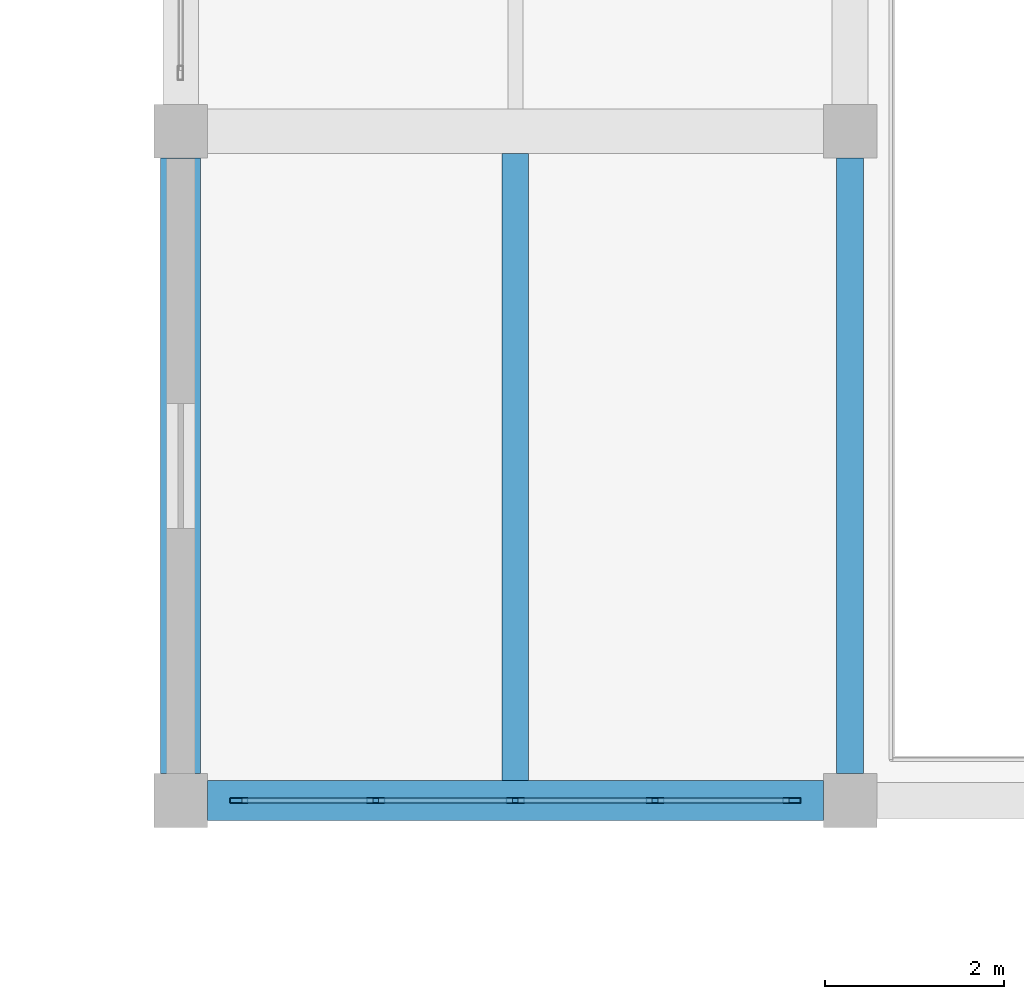
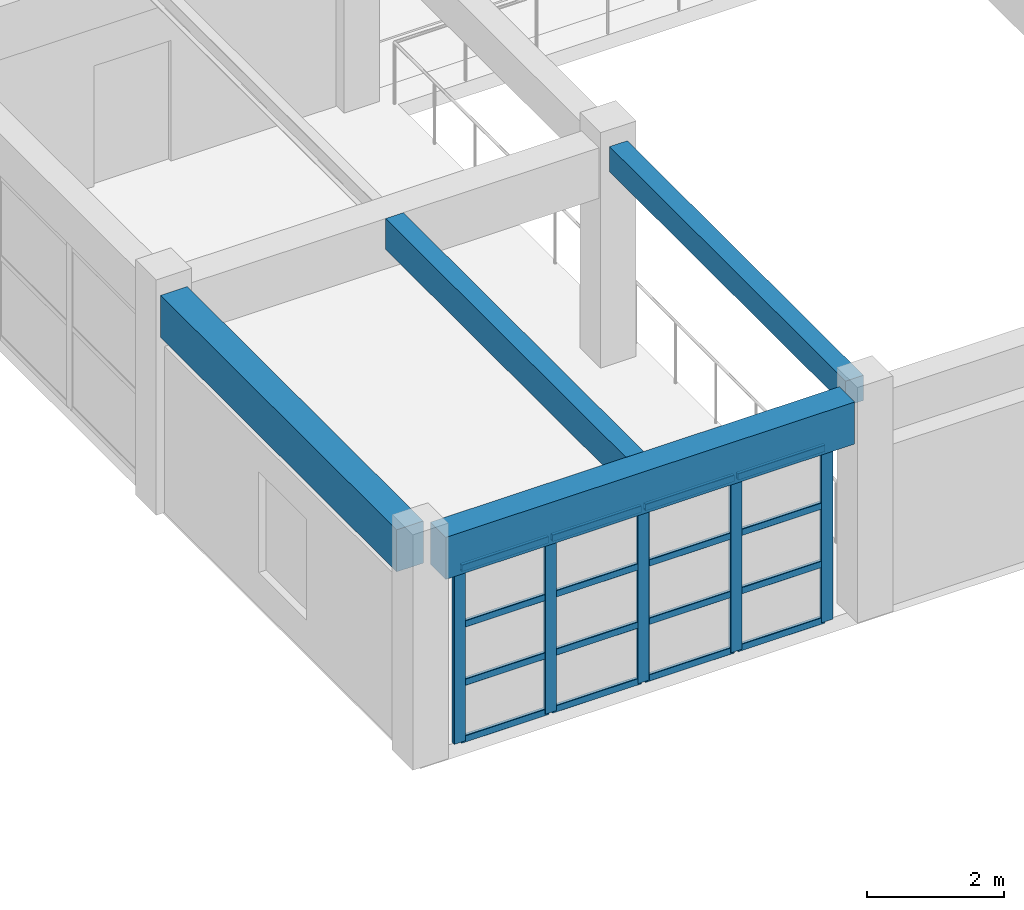
# One storey, part 53 of 124: 21 members, 4 beams, 1 element without a shape of its own.
"""IFC4 building model written with IfcOpenShell, lengths in metres."""

from ifc_helpers import new_model, si_unit, direction, frame, origin, origin_2d, place, context, subcontext, project, spatial, rectangle, hollow_rectangle, extrude, material, material_profile, profile_set, type_object, element, aggregate, save


model = new_model("IFC4")

# Units and contexts
model_context = context("Model", 3, precision=1e-05, world=origin(), true_north=direction((0.0, 1.0)))
body_context = subcontext(model_context, "Body", "Model", "MODEL_VIEW")
ifc_project = project(units=[si_unit("LENGTHUNIT", "METRE"), si_unit("AREAUNIT", "SQUARE_METRE"), si_unit("VOLUMEUNIT", "CUBIC_METRE"), si_unit("PLANEANGLEUNIT", "RADIAN"), si_unit("MASSUNIT", "GRAM", prefix="KILO")], contexts=[model_context])

# Site, building, storey
site_placement = place(None, origin())
site = spatial("IfcSite", under=ifc_project, at=site_placement, CompositionType="ELEMENT")
building_placement = place(site_placement, origin())
building = spatial("IfcBuilding", under=site, at=building_placement, Name="Qasida Concert Hall", CompositionType="ELEMENT")
storey_placement = place(building_placement, frame((0.0, 0.0, 9.0)))
storey = spatial("IfcBuildingStorey", under=building, at=storey_placement, Name="L02", CompositionType="ELEMENT", Elevation=9.0)

# Beams
ifc_material_1 = material(Name="Concrete C40/50", Category="concrete")
ifc_material_profile_1 = material_profile(ifc_material_1, rectangle(XDim=0.300048828125, YDim=0.449951171875, at=origin_2d()), Name="RC 300x450")
ifc_profile_set_1 = profile_set([ifc_material_profile_1], Name="Concrete C40/50")
beam_type_1 = type_object("IfcBeamType", Name="BM-B3", PredefinedType="BEAM", material=ifc_profile_set_1)
beam_1_placement = place(storey_placement, frame((127.5, 75.300048828125, 3.675048828125), z_axis=(0.0, 1.0, 0.0), x_axis=(-1.0, 0.0, 0.0)))
element("IfcBeam", 1, at=beam_1_placement, inside=storey, type_object=beam_type_1, Name="L02 girder 1388", PredefinedType="BEAM", context=body_context, shape_type="SweptSolid", body=[
    extrude(rectangle(XDim=0.300048828125, YDim=0.449951171875, at=origin_2d()), origin(), (0.0, 0.0, 1.0), 6.89990234375),
])
ifc_material_profile_2 = material_profile(ifc_material_1, rectangle(XDim=0.300048828125, YDim=0.550048828125, at=origin_2d()), Name="RC 300x550")
ifc_profile_set_2 = profile_set([ifc_material_profile_2], Name="Concrete C40/50")
beam_type_2 = type_object("IfcBeamType", Name="BM-J1", PredefinedType="JOIST", material=ifc_profile_set_2)
beam_2_placement = place(storey_placement, frame((123.75, 75.22509765625, 3.625), z_axis=(0.0, 1.0, 0.0), x_axis=(-1.0, 0.0, 0.0)))
element("IfcBeam", 2, at=beam_2_placement, inside=storey, type_object=beam_type_2, Name="L02 secondary joist 1416", PredefinedType="JOIST", context=body_context, shape_type="SweptSolid", body=[
    extrude(rectangle(XDim=0.300048828125, YDim=0.550048828125, at=origin_2d()), origin(), (0.0, 0.0, 1.0), 7.02490234375),
])
ifc_material_profile_3 = material_profile(ifc_material_1, rectangle(XDim=0.449951171875, YDim=0.75, at=origin_2d()), Name="RC 450x750")
ifc_profile_set_3 = profile_set([ifc_material_profile_3], Name="Concrete C40/50")
beam_type_3 = type_object("IfcBeamType", Name="BM-SP4", PredefinedType="SPANDREL", material=ifc_profile_set_3)
for number, where, z_axis, x_axis, name in (
    (3, (120.300048828125, 75.0, 3.52490234375), (1.0, 0.0, 0.0), (0.0, 1.0, 0.0), "Primary girder 1350"),
    (4, (120.0, 75.300048828125, 3.52490234375), (0.0, 1.0, 0.0), (-1.0, 0.0, 0.0), "L02 girder 1383"),
):
    element("IfcBeam", number, at=place(storey_placement, frame(where, z_axis=z_axis, x_axis=x_axis)), inside=storey, type_object=beam_type_3, Name=name, PredefinedType="SPANDREL", context=body_context, shape_type="SweptSolid", body=[
        extrude(rectangle(XDim=0.449951171875, YDim=0.75, at=origin_2d()), origin(), (0.0, 0.0, 1.0), 6.89990234375),
    ])

# Curtain wall, members
ifc_material_2 = material(Name="Architectural bronze-anodized aluminium and low-E glass", Category="aluminium")
curtain_wall_type = type_object("IfcCurtainWallType", Name="CW-03", PredefinedType="NOTDEFINED", material=ifc_material_2)
curtain_wall_placement = place(storey_placement, origin())
curtain_wall = element("IfcCurtainWall", 5, at=curtain_wall_placement, inside=storey, type_object=curtain_wall_type, Name="L02 curtain wall CW-03 0169", PredefinedType="NOTDEFINED")
ifc_material_3 = material(Name="Architectural bronze-anodized aluminium EN AW-6063", Category="aluminium")
ifc_material_profile_4 = material_profile(ifc_material_3, hollow_rectangle(XDim=0.06494140625, YDim=0.199951171875, WallThickness=0.0048828125, InnerFilletRadius=0.0048828125, OuterFilletRadius=0.010009765625, at=origin_2d()), Name="CWM 200x65x5")
ifc_profile_set_4 = profile_set([ifc_material_profile_4], Name="Architectural bronze-anodized aluminium EN AW-6063")
member_type_1 = type_object("IfcMemberType", Name="MB-CWM-2", PredefinedType="MULLION", material=ifc_profile_set_4)
member_1_placement = place(storey_placement, frame((120.652587890625, 75.0, 0.0), z_axis=(0.0, 0.0, 1.0), x_axis=(0.0, 1.0, 0.0)))
member_1 = element("IfcMember", 6, at=member_1_placement, type_object=member_type_1, Name="CW-03 mullion 1", PredefinedType="MULLION", context=body_context, shape_type="SweptSolid", body=[
    extrude(hollow_rectangle(XDim=0.06494140625, YDim=0.199951171875, WallThickness=0.0048828125, InnerFilletRadius=0.0048828125, OuterFilletRadius=0.010009765625, at=origin_2d()), origin(), (0.0, 0.0, 1.0), 3.1201171875),
])
member_2_placement = place(storey_placement, frame((122.18505859375, 75.0, 0.0), z_axis=(0.0, 0.0, 1.0), x_axis=(0.0, 1.0, 0.0)))
member_2 = element("IfcMember", 7, at=member_2_placement, type_object=member_type_1, Name="CW-03 mullion 2", PredefinedType="MULLION", context=body_context, shape_type="SweptSolid", body=[
    extrude(hollow_rectangle(XDim=0.06494140625, YDim=0.199951171875, WallThickness=0.0048828125, InnerFilletRadius=0.0048828125, OuterFilletRadius=0.010009765625, at=origin_2d()), origin(), (0.0, 0.0, 1.0), 3.1201171875),
])
member_3_placement = place(storey_placement, frame((123.75, 75.0, 0.0), z_axis=(0.0, 0.0, 1.0), x_axis=(0.0, 1.0, 0.0)))
member_3 = element("IfcMember", 8, at=member_3_placement, type_object=member_type_1, Name="CW-03 mullion 3", PredefinedType="MULLION", context=body_context, shape_type="SweptSolid", body=[
    extrude(hollow_rectangle(XDim=0.06494140625, YDim=0.199951171875, WallThickness=0.0048828125, InnerFilletRadius=0.0048828125, OuterFilletRadius=0.010009765625, at=origin_2d()), origin(), (0.0, 0.0, 1.0), 3.1201171875),
])
member_4_placement = place(storey_placement, frame((125.31494140625, 75.0, 0.0), z_axis=(0.0, 0.0, 1.0), x_axis=(0.0, 1.0, 0.0)))
member_4 = element("IfcMember", 9, at=member_4_placement, type_object=member_type_1, Name="CW-03 mullion 4", PredefinedType="MULLION", context=body_context, shape_type="SweptSolid", body=[
    extrude(hollow_rectangle(XDim=0.06494140625, YDim=0.199951171875, WallThickness=0.0048828125, InnerFilletRadius=0.0048828125, OuterFilletRadius=0.010009765625, at=origin_2d()), origin(), (0.0, 0.0, 1.0), 3.1201171875),
])
member_5_placement = place(storey_placement, frame((126.847412109375, 75.0, 0.0), z_axis=(0.0, 0.0, 1.0), x_axis=(0.0, 1.0, 0.0)))
member_5 = element("IfcMember", 10, at=member_5_placement, type_object=member_type_1, Name="CW-03 mullion 5", PredefinedType="MULLION", context=body_context, shape_type="SweptSolid", body=[
    extrude(hollow_rectangle(XDim=0.06494140625, YDim=0.199951171875, WallThickness=0.0048828125, InnerFilletRadius=0.0048828125, OuterFilletRadius=0.010009765625, at=origin_2d()), origin(), (0.0, 0.0, 1.0), 3.1201171875),
])
ifc_material_profile_5 = material_profile(ifc_material_3, hollow_rectangle(XDim=0.06005859375, YDim=0.1201171875, WallThickness=0.00390625, InnerFilletRadius=0.00390625, OuterFilletRadius=0.008056640625, at=origin_2d()), Name="CWT 120x60x4")
ifc_profile_set_5 = profile_set([ifc_material_profile_5], Name="Architectural bronze-anodized aluminium EN AW-6063")
member_type_2 = type_object("IfcMemberType", Name="MB-CWT-2", PredefinedType="USERDEFINED", material=ifc_profile_set_5)
member_6_placement = place(storey_placement, frame((120.68505859375, 75.0, 0.030029296875), z_axis=(1.0, 0.0, 0.0), x_axis=(0.0, 1.0, 0.0)))
member_6 = element("IfcMember", 11, at=member_6_placement, type_object=member_type_2, Name="CW-03 transom 1.1", ObjectType="TRANSOM", PredefinedType="USERDEFINED", context=body_context, shape_type="SweptSolid", body=[
    extrude(hollow_rectangle(XDim=0.06005859375, YDim=0.1201171875, WallThickness=0.00390625, InnerFilletRadius=0.00390625, OuterFilletRadius=0.008056640625, at=origin_2d()), origin(), (0.0, 0.0, 1.0), 1.467529296875),
])
member_7_placement = place(storey_placement, frame((120.68505859375, 75.0, 1.0400390625), z_axis=(1.0, 0.0, 0.0), x_axis=(0.0, 1.0, 0.0)))
member_7 = element("IfcMember", 12, at=member_7_placement, type_object=member_type_2, Name="CW-03 transom 1.2", ObjectType="TRANSOM", PredefinedType="USERDEFINED", context=body_context, shape_type="SweptSolid", body=[
    extrude(hollow_rectangle(XDim=0.06005859375, YDim=0.1201171875, WallThickness=0.00390625, InnerFilletRadius=0.00390625, OuterFilletRadius=0.008056640625, at=origin_2d()), origin(), (0.0, 0.0, 1.0), 1.467529296875),
])
member_8_placement = place(storey_placement, frame((120.68505859375, 75.0, 2.080078125), z_axis=(1.0, 0.0, 0.0), x_axis=(0.0, 1.0, 0.0)))
member_8 = element("IfcMember", 13, at=member_8_placement, type_object=member_type_2, Name="CW-03 transom 1.3", ObjectType="TRANSOM", PredefinedType="USERDEFINED", context=body_context, shape_type="SweptSolid", body=[
    extrude(hollow_rectangle(XDim=0.06005859375, YDim=0.1201171875, WallThickness=0.00390625, InnerFilletRadius=0.00390625, OuterFilletRadius=0.008056640625, at=origin_2d()), origin(), (0.0, 0.0, 1.0), 1.467529296875),
])
member_9_placement = place(storey_placement, frame((120.68505859375, 75.0, 3.090087890625), z_axis=(1.0, 0.0, 0.0), x_axis=(0.0, 1.0, 0.0)))
member_9 = element("IfcMember", 14, at=member_9_placement, type_object=member_type_2, Name="CW-03 transom 1.4", ObjectType="TRANSOM", PredefinedType="USERDEFINED", context=body_context, shape_type="SweptSolid", body=[
    extrude(hollow_rectangle(XDim=0.06005859375, YDim=0.1201171875, WallThickness=0.00390625, InnerFilletRadius=0.00390625, OuterFilletRadius=0.008056640625, at=origin_2d()), origin(), (0.0, 0.0, 1.0), 1.467529296875),
])
member_10_placement = place(storey_placement, frame((122.217529296875, 75.0, 0.030029296875), z_axis=(1.0, 0.0, 0.0), x_axis=(0.0, 1.0, 0.0)))
member_10 = element("IfcMember", 15, at=member_10_placement, type_object=member_type_2, Name="CW-03 transom 2.1", ObjectType="TRANSOM", PredefinedType="USERDEFINED", context=body_context, shape_type="SweptSolid", body=[
    extrude(hollow_rectangle(XDim=0.06005859375, YDim=0.1201171875, WallThickness=0.00390625, InnerFilletRadius=0.00390625, OuterFilletRadius=0.008056640625, at=origin_2d()), origin(), (0.0, 0.0, 1.0), 1.5),
])
member_11_placement = place(storey_placement, frame((122.217529296875, 75.0, 1.0400390625), z_axis=(1.0, 0.0, 0.0), x_axis=(0.0, 1.0, 0.0)))
member_11 = element("IfcMember", 16, at=member_11_placement, type_object=member_type_2, Name="CW-03 transom 2.2", ObjectType="TRANSOM", PredefinedType="USERDEFINED", context=body_context, shape_type="SweptSolid", body=[
    extrude(hollow_rectangle(XDim=0.06005859375, YDim=0.1201171875, WallThickness=0.00390625, InnerFilletRadius=0.00390625, OuterFilletRadius=0.008056640625, at=origin_2d()), origin(), (0.0, 0.0, 1.0), 1.5),
])
member_12_placement = place(storey_placement, frame((122.217529296875, 75.0, 2.080078125), z_axis=(1.0, 0.0, 0.0), x_axis=(0.0, 1.0, 0.0)))
member_12 = element("IfcMember", 17, at=member_12_placement, type_object=member_type_2, Name="CW-03 transom 2.3", ObjectType="TRANSOM", PredefinedType="USERDEFINED", context=body_context, shape_type="SweptSolid", body=[
    extrude(hollow_rectangle(XDim=0.06005859375, YDim=0.1201171875, WallThickness=0.00390625, InnerFilletRadius=0.00390625, OuterFilletRadius=0.008056640625, at=origin_2d()), origin(), (0.0, 0.0, 1.0), 1.5),
])
member_13_placement = place(storey_placement, frame((122.217529296875, 75.0, 3.090087890625), z_axis=(1.0, 0.0, 0.0), x_axis=(0.0, 1.0, 0.0)))
member_13 = element("IfcMember", 18, at=member_13_placement, type_object=member_type_2, Name="CW-03 transom 2.4", ObjectType="TRANSOM", PredefinedType="USERDEFINED", context=body_context, shape_type="SweptSolid", body=[
    extrude(hollow_rectangle(XDim=0.06005859375, YDim=0.1201171875, WallThickness=0.00390625, InnerFilletRadius=0.00390625, OuterFilletRadius=0.008056640625, at=origin_2d()), origin(), (0.0, 0.0, 1.0), 1.5),
])
member_14_placement = place(storey_placement, frame((123.782470703125, 75.0, 0.030029296875), z_axis=(1.0, 0.0, 0.0), x_axis=(0.0, 1.0, 0.0)))
member_14 = element("IfcMember", 19, at=member_14_placement, type_object=member_type_2, Name="CW-03 transom 3.1", ObjectType="TRANSOM", PredefinedType="USERDEFINED", context=body_context, shape_type="SweptSolid", body=[
    extrude(hollow_rectangle(XDim=0.06005859375, YDim=0.1201171875, WallThickness=0.00390625, InnerFilletRadius=0.00390625, OuterFilletRadius=0.008056640625, at=origin_2d()), origin(), (0.0, 0.0, 1.0), 1.5),
])
member_15_placement = place(storey_placement, frame((123.782470703125, 75.0, 1.0400390625), z_axis=(1.0, 0.0, 0.0), x_axis=(0.0, 1.0, 0.0)))
member_15 = element("IfcMember", 20, at=member_15_placement, type_object=member_type_2, Name="CW-03 transom 3.2", ObjectType="TRANSOM", PredefinedType="USERDEFINED", context=body_context, shape_type="SweptSolid", body=[
    extrude(hollow_rectangle(XDim=0.06005859375, YDim=0.1201171875, WallThickness=0.00390625, InnerFilletRadius=0.00390625, OuterFilletRadius=0.008056640625, at=origin_2d()), origin(), (0.0, 0.0, 1.0), 1.5),
])
member_16_placement = place(storey_placement, frame((123.782470703125, 75.0, 2.080078125), z_axis=(1.0, 0.0, 0.0), x_axis=(0.0, 1.0, 0.0)))
member_16 = element("IfcMember", 21, at=member_16_placement, type_object=member_type_2, Name="CW-03 transom 3.3", ObjectType="TRANSOM", PredefinedType="USERDEFINED", context=body_context, shape_type="SweptSolid", body=[
    extrude(hollow_rectangle(XDim=0.06005859375, YDim=0.1201171875, WallThickness=0.00390625, InnerFilletRadius=0.00390625, OuterFilletRadius=0.008056640625, at=origin_2d()), origin(), (0.0, 0.0, 1.0), 1.5),
])
member_17_placement = place(storey_placement, frame((123.782470703125, 75.0, 3.090087890625), z_axis=(1.0, 0.0, 0.0), x_axis=(0.0, 1.0, 0.0)))
member_17 = element("IfcMember", 22, at=member_17_placement, type_object=member_type_2, Name="CW-03 transom 3.4", ObjectType="TRANSOM", PredefinedType="USERDEFINED", context=body_context, shape_type="SweptSolid", body=[
    extrude(hollow_rectangle(XDim=0.06005859375, YDim=0.1201171875, WallThickness=0.00390625, InnerFilletRadius=0.00390625, OuterFilletRadius=0.008056640625, at=origin_2d()), origin(), (0.0, 0.0, 1.0), 1.5),
])
member_18_placement = place(storey_placement, frame((125.347412109375, 75.0, 0.030029296875), z_axis=(1.0, 0.0, 0.0), x_axis=(0.0, 1.0, 0.0)))
member_18 = element("IfcMember", 23, at=member_18_placement, type_object=member_type_2, Name="CW-03 transom 4.1", ObjectType="TRANSOM", PredefinedType="USERDEFINED", context=body_context, shape_type="SweptSolid", body=[
    extrude(hollow_rectangle(XDim=0.06005859375, YDim=0.1201171875, WallThickness=0.00390625, InnerFilletRadius=0.00390625, OuterFilletRadius=0.008056640625, at=origin_2d()), origin(), (0.0, 0.0, 1.0), 1.467529296875),
])
member_19_placement = place(storey_placement, frame((125.347412109375, 75.0, 1.0400390625), z_axis=(1.0, 0.0, 0.0), x_axis=(0.0, 1.0, 0.0)))
member_19 = element("IfcMember", 24, at=member_19_placement, type_object=member_type_2, Name="CW-03 transom 4.2", ObjectType="TRANSOM", PredefinedType="USERDEFINED", context=body_context, shape_type="SweptSolid", body=[
    extrude(hollow_rectangle(XDim=0.06005859375, YDim=0.1201171875, WallThickness=0.00390625, InnerFilletRadius=0.00390625, OuterFilletRadius=0.008056640625, at=origin_2d()), origin(), (0.0, 0.0, 1.0), 1.467529296875),
])
member_20_placement = place(storey_placement, frame((125.347412109375, 75.0, 2.080078125), z_axis=(1.0, 0.0, 0.0), x_axis=(0.0, 1.0, 0.0)))
member_20 = element("IfcMember", 25, at=member_20_placement, type_object=member_type_2, Name="CW-03 transom 4.3", ObjectType="TRANSOM", PredefinedType="USERDEFINED", context=body_context, shape_type="SweptSolid", body=[
    extrude(hollow_rectangle(XDim=0.06005859375, YDim=0.1201171875, WallThickness=0.00390625, InnerFilletRadius=0.00390625, OuterFilletRadius=0.008056640625, at=origin_2d()), origin(), (0.0, 0.0, 1.0), 1.467529296875),
])
member_21_placement = place(storey_placement, frame((125.347412109375, 75.0, 3.090087890625), z_axis=(1.0, 0.0, 0.0), x_axis=(0.0, 1.0, 0.0)))
member_21 = element("IfcMember", 26, at=member_21_placement, type_object=member_type_2, Name="CW-03 transom 4.4", ObjectType="TRANSOM", PredefinedType="USERDEFINED", context=body_context, shape_type="SweptSolid", body=[
    extrude(hollow_rectangle(XDim=0.06005859375, YDim=0.1201171875, WallThickness=0.00390625, InnerFilletRadius=0.00390625, OuterFilletRadius=0.008056640625, at=origin_2d()), origin(), (0.0, 0.0, 1.0), 1.467529296875),
])
aggregate(curtain_wall, [member_1, member_2, member_3, member_4, member_5, member_6, member_7, member_8, member_9, member_10, member_11, member_12, member_13, member_14, member_15, member_16, member_17, member_18, member_19, member_20, member_21])

save(model, "model.ifc")
